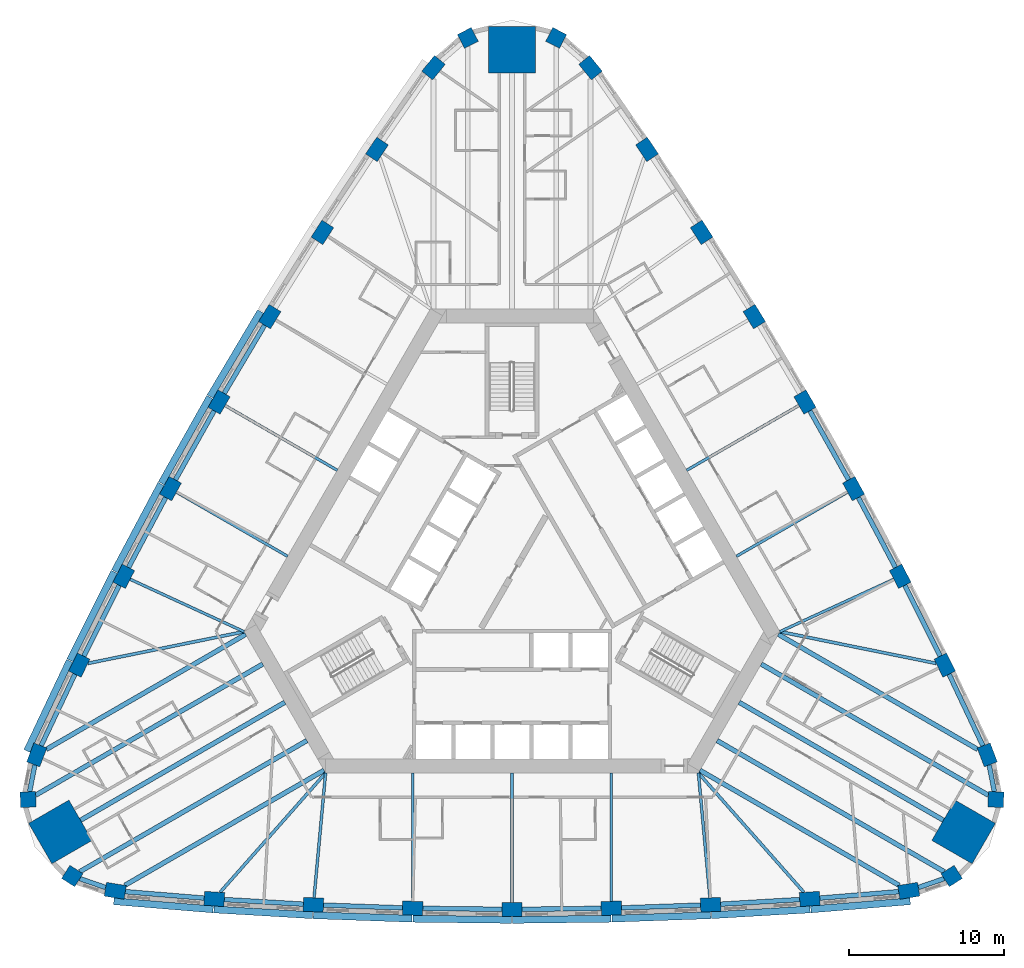
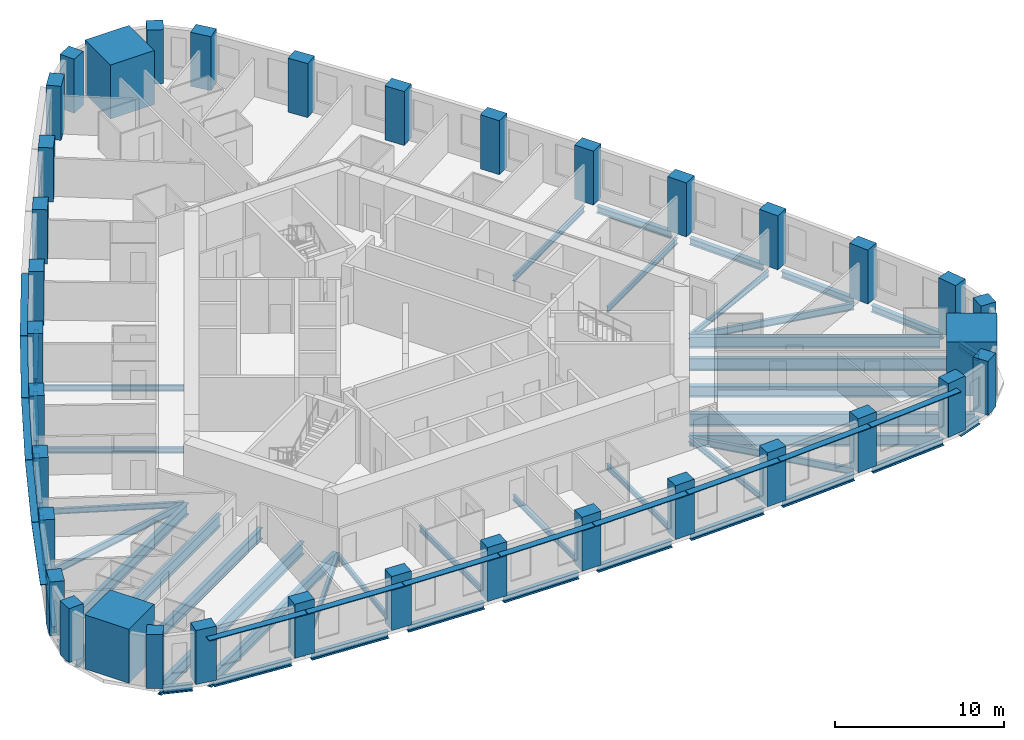
# One storey, part 1 of 12: 46 beams, 36 columns, 13 members.
"""IFC4 building model written with IfcOpenShell, lengths in metres."""

from ifc_helpers import new_model, si_unit, direction, frame, origin, origin_2d, place, context, subcontext, project, spatial, rectangle, i_section, extrude, material, material_profile, profile_set, type_object, element, save


model = new_model("IFC4")

# Units and contexts
model_context = context("Model", 3, precision=1e-05, world=origin(), true_north=direction((0.0, 1.0)))
body_context = subcontext(model_context, "Body", "Model", "MODEL_VIEW")
ifc_project = project(units=[si_unit("LENGTHUNIT", "METRE"), si_unit("AREAUNIT", "SQUARE_METRE"), si_unit("VOLUMEUNIT", "CUBIC_METRE"), si_unit("PLANEANGLEUNIT", "RADIAN"), si_unit("MASSUNIT", "GRAM", prefix="KILO")], contexts=[model_context])

# Site, building, storey
site_placement = place(None, origin())
site = spatial("IfcSite", under=ifc_project, at=site_placement, CompositionType="ELEMENT")
building_placement = place(site_placement, origin())
building = spatial("IfcBuilding", under=site, at=building_placement, Name="Mestral Congress Tower", CompositionType="ELEMENT")
storey_placement = place(building_placement, frame((0.0, 0.0, 111.0)))
storey = spatial("IfcBuildingStorey", under=building, at=storey_placement, Name="L26", CompositionType="ELEMENT", Elevation=111.0)

# Columns
ifc_material_1 = material(Name="Concrete C70/85", Category="concrete")
ifc_material_profile_1 = material_profile(ifc_material_1, rectangle(XDim=1.0, YDim=1.0, at=origin_2d()), Name="RC 1000x1000")
ifc_profile_set_1 = profile_set([ifc_material_profile_1], Name="Concrete C70/85")
column_type_1 = type_object("IfcColumnType", Name="Column RC 1000x1000 C70/85", PredefinedType="COLUMN", material=ifc_profile_set_1)
for number, where, z_axis, x_axis, name in (
    (1, (28.331298828125, -19.642822265625, 0.0), (0.0, 0.0, 1.0), (0.841700252504, 0.53994507585, 0.0), "COL-L26-C2-SE1"),
    (2, (31.1767578125, -14.714111328125, 0.0), (0.0, 0.0, 1.0), (0.046756026083, 0.998906338965, 0.0), "COL-L26-C2-SE3"),
    (3, (2.845703125, 34.35693359375, 0.0), (0.0, 0.0, 1.0), (-0.888456278587, 0.458961263115, 0.0), "COL-L26-C2-N1"),
    (4, (-2.845703125, 34.35693359375, 0.0), (0.0, 0.0, 1.0), (-0.888456278587, -0.458961263115, 0.0), "COL-L26-C2-N3"),
    (5, (-31.1767578125, -14.714111328125, 0.0), (0.0, 0.0, 1.0), (0.046756026083, -0.998906338965, 0.0), "COL-L26-C2-SW1"),
    (6, (-28.331298828125, -19.642822265625, 0.0), (0.0, 0.0, 1.0), (0.841700252504, -0.53994507585, 0.0), "COL-L26-C2-SW3"),
):
    element("IfcColumn", number, at=place(storey_placement, frame(where, z_axis=z_axis, x_axis=x_axis)), inside=storey, type_object=column_type_1, Name=name, PredefinedType="COLUMN", context=body_context, shape_type="SweptSolid", body=[
        extrude(rectangle(XDim=1.0, YDim=1.0, at=origin_2d()), origin(), (0.0, 0.0, 1.0), 3.89990234375),
    ])
ifc_material_profile_2 = material_profile(ifc_material_1, rectangle(XDim=1.300048828125, YDim=0.89990234375, at=origin_2d()), Name="RC 1300x900")
ifc_profile_set_2 = profile_set([ifc_material_profile_2], Name="Concrete C70/85")
column_type_2 = type_object("IfcColumnType", Name="Column RC 1300x900 C70/85", PredefinedType="COLUMN", material=ifc_profile_set_2)
for number, where, z_axis, x_axis, name in (
    (7, (-25.562744140625, -20.59716796875, 0.0), (0.0, 0.0, 1.0), (0.987202314361, -0.159472851987, 0.0), "COL-L26-C2-S00"),
    (8, (-19.184326171875, -21.120361328125, 0.0), (0.0, 0.0, 1.0), (0.997539884588, -0.07010120296, 0.0), "COL-L26-C2-S01"),
    (9, (-12.79541015625, -21.494384765625, 0.0), (0.0, 0.0, 1.0), (0.998906338965, -0.046756026083, 0.0), "COL-L26-C2-S02"),
    (10, (-6.3994140625, -21.71875, 0.0), (0.0, 0.0, 1.0), (0.99972656776, -0.023383535144, 0.0), "COL-L26-C2-S03"),
    (11, (0.0, -21.793701171875, 0.0), (0.0, 0.0, 1.0), (1.0, 0.0, 0.0), "COL-L26-C2-S04"),
    (12, (6.3994140625, -21.71875, 0.0), (0.0, 0.0, 1.0), (0.99972656776, 0.023383535144, 0.0), "COL-L26-C2-S05"),
    (13, (12.79541015625, -21.494384765625, 0.0), (0.0, 0.0, 1.0), (0.998906338965, 0.046756026083, 0.0), "COL-L26-C2-S06"),
    (14, (19.184326171875, -21.120361328125, 0.0), (0.0, 0.0, 1.0), (0.997539884588, 0.07010120296, 0.0), "COL-L26-C2-S07"),
    (15, (25.562744140625, -20.59716796875, 0.0), (0.0, 0.0, 1.0), (0.987202314361, 0.159472851987, 0.0), "COL-L26-C2-S08"),
    (16, (30.618896484375, -11.83935546875, 0.0), (0.0, 0.0, 1.0), (-0.355493616145, 0.934678708905, 0.0), "COL-L26-C2-E00"),
    (17, (27.8828125, -6.0537109375, 0.0), (0.0, 0.0, 1.0), (-0.438060519695, 0.898945482821, 0.0), "COL-L26-C2-E01"),
    (18, (25.01220703125, -0.333984375, 0.0), (0.0, 0.0, 1.0), (-0.458961263115, 0.888456278587, 0.0), "COL-L26-C2-E02"),
    (19, (22.0087890625, 5.3173828125, 0.0), (0.0, 0.0, 1.0), (-0.479612548415, 0.87748037209, 0.0), "COL-L26-C2-E03"),
    (20, (18.873779296875, 10.896728515625, 0.0), (0.0, 0.0, 1.0), (-0.5, 0.866025403784, 0.0), "COL-L26-C2-E04"),
    (21, (15.609375, 16.401611328125, 0.0), (0.0, 0.0, 1.0), (-0.520114019344, 0.854096836946, 0.0), "COL-L26-C2-E05"),
    (22, (12.217041015625, 21.828369140625, 0.0), (0.0, 0.0, 1.0), (-0.53994507585, 0.841700252504, 0.0), "COL-L26-C2-E06"),
    (23, (8.69873046875, 27.17431640625, 0.0), (0.0, 0.0, 1.0), (-0.559479364893, 0.828844279861, 0.0), "COL-L26-C2-E07"),
    (24, (5.056396484375, 32.4365234375, 0.0), (0.0, 0.0, 1.0), (-0.631708698215, 0.775205856918, 0.0), "COL-L26-C2-E08"),
    (25, (-5.056396484375, 32.4365234375, 0.0), (0.0, 0.0, 1.0), (-0.631708698215, -0.775205856918, 0.0), "COL-L26-C2-W00"),
    (26, (-8.69873046875, 27.17431640625, 0.0), (0.0, 0.0, 1.0), (-0.559479364893, -0.828844279861, 0.0), "COL-L26-C2-W01"),
    (27, (-12.217041015625, 21.828369140625, 0.0), (0.0, 0.0, 1.0), (-0.53994507585, -0.841700252504, 0.0), "COL-L26-C2-W02"),
    (28, (-15.609375, 16.401611328125, 0.0), (0.0, 0.0, 1.0), (-0.520114019344, -0.854096836946, 0.0), "COL-L26-C2-W03"),
    (29, (-18.873779296875, 10.896728515625, 0.0), (0.0, 0.0, 1.0), (-0.5, -0.866025403784, 0.0), "COL-L26-C2-W04"),
    (30, (-22.0087890625, 5.3173828125, 0.0), (0.0, 0.0, 1.0), (-0.479612548415, -0.87748037209, 0.0), "COL-L26-C2-W05"),
    (31, (-25.01220703125, -0.333984375, 0.0), (0.0, 0.0, 1.0), (-0.458961263115, -0.888456278587, 0.0), "COL-L26-C2-W06"),
    (32, (-27.8828125, -6.0537109375, 0.0), (0.0, 0.0, 1.0), (-0.438060519695, -0.898945482821, 0.0), "COL-L26-C2-W07"),
    (33, (-30.618896484375, -11.83935546875, 0.0), (0.0, 0.0, 1.0), (-0.355493616145, -0.934678708905, 0.0), "COL-L26-C2-W08"),
):
    element("IfcColumn", number, at=place(storey_placement, frame(where, z_axis=z_axis, x_axis=x_axis)), inside=storey, type_object=column_type_2, Name=name, PredefinedType="COLUMN", context=body_context, shape_type="SweptSolid", body=[
        extrude(rectangle(XDim=1.300048828125, YDim=0.89990234375, at=origin_2d()), origin(), (0.0, 0.0, 1.0), 3.89990234375),
    ])
ifc_material_2 = material(Name="Concrete C80/95", Category="concrete")
ifc_material_profile_3 = material_profile(ifc_material_2, rectangle(XDim=3.0, YDim=3.0, at=origin_2d()), Name="RC 3000x3000")
ifc_profile_set_3 = profile_set([ifc_material_profile_3], Name="Concrete C80/95")
column_type_3 = type_object("IfcColumnType", Name="Mega column RC 3000x3000 C80/95", PredefinedType="COLUMN", material=ifc_profile_set_3)
for number, where, z_axis, x_axis, name in (
    (34, (29.09716796875, -16.79931640625, 0.0), (0.0, 0.0, 1.0), (0.866025403784, -0.5, 0.0), "COL-L26-PY2-SE"),
    (35, (0.0, 33.598388671875, 0.0), (0.0, 0.0, 1.0), (0.0, 1.0, 0.0), "COL-L26-PY2-N"),
    (36, (-29.09716796875, -16.79931640625, 0.0), (0.0, 0.0, 1.0), (-0.866025403784, -0.5, 0.0), "COL-L26-PY2-SW"),
):
    element("IfcColumn", number, at=place(storey_placement, frame(where, z_axis=z_axis, x_axis=x_axis)), inside=storey, type_object=column_type_3, Name=name, PredefinedType="COLUMN", context=body_context, shape_type="SweptSolid", body=[
        extrude(rectangle(XDim=3.0, YDim=3.0, at=origin_2d()), origin(), (0.0, 0.0, 1.0), 3.89990234375),
    ])

# Members
ifc_material_3 = material(Name="Glazed ceramic", Category="masonry")
ifc_material_profile_4 = material_profile(ifc_material_3, rectangle(XDim=0.449951171875, YDim=0.06005859375, at=origin_2d()), Name="Ceramic blade 450 x 60")
ifc_profile_set_4 = profile_set([ifc_material_profile_4], Name="Glazed ceramic")
member_type = type_object("IfcMemberType", Name="Facade sunshade blade 450 x 60", PredefinedType="USERDEFINED", material=ifc_profile_set_4)
member_1_placement = place(storey_placement, frame((-25.654296875, -21.266845703125, 3.280029296875), z_axis=(0.996650616323, -0.081777435656, 0.0), x_axis=(0.081777435656, 0.996650616323, 0.0)))
element("IfcMember", 37, at=member_1_placement, inside=storey, type_object=member_type, Name="Sunshade F0-00", ObjectType="SUNSHADE", PredefinedType="USERDEFINED", context=body_context, shape_type="SweptSolid", body=[
    extrude(rectangle(XDim=0.449951171875, YDim=0.06005859375, at=origin_2d()), origin(), (0.0, 0.0, 1.0), 6.421630859375),
])
for number, where, z_axis, x_axis, name in (
    (38, (-19.208984375, -21.795166015625, 3.280029296875), (0.998292825409, -0.05840748871, 0.0), (0.05840748871, 0.998292825409, 0.0), "Sunshade F0-01"),
    (39, (-12.80419921875, -22.16943359375, 3.280029296875), (0.999384970229, -0.035066811664, 0.0), (0.035066811664, 0.999384970229, 0.0), "Sunshade F0-02"),
    (40, (-6.392578125, -22.393798828125, 3.280029296875), (0.999931231966, -0.011727375608, 0.0), (0.011727375608, 0.999931231966, 0.0), "Sunshade F0-03"),
    (41, (0.022705078125, -22.468505859375, 3.280029296875), (0.999931231966, 0.011727375608, 0.0), (-0.011727375608, 0.999931231966, 0.0), "Sunshade F0-04"),
    (42, (6.437744140625, -22.392822265625, 3.280029296875), (0.999384970229, 0.035066811664, 0.0), (-0.035066811664, 0.999384970229, 0.0), "Sunshade F0-05"),
    (43, (12.849609375, -22.167236328125, 3.280029296875), (0.998292825409, 0.05840748871, 0.0), (-0.05840748871, 0.998292825409, 0.0), "Sunshade F0-06"),
):
    element("IfcMember", number, at=place(storey_placement, frame(where, z_axis=z_axis, x_axis=x_axis)), inside=storey, type_object=member_type, Name=name, ObjectType="SUNSHADE", PredefinedType="USERDEFINED", context=body_context, shape_type="SweptSolid", body=[
        extrude(rectangle(XDim=0.449951171875, YDim=0.06005859375, at=origin_2d()), origin(), (0.0, 0.0, 1.0), 6.370361328125),
    ])
member_2_placement = place(storey_placement, frame((19.254150390625, -21.7919921875, 3.280029296875), z_axis=(0.996650616323, 0.081777435656, 0.0), x_axis=(-0.081777435656, 0.996650616323, 0.0)))
element("IfcMember", 44, at=member_2_placement, inside=storey, type_object=member_type, Name="Sunshade F0-07", ObjectType="SUNSHADE", PredefinedType="USERDEFINED", context=body_context, shape_type="SweptSolid", body=[
    extrude(rectangle(XDim=0.449951171875, YDim=0.06005859375, at=origin_2d()), origin(), (0.0, 0.0, 1.0), 6.421630859375),
])
for number, where, z_axis, x_axis, name in (
    (45, (-16.197509765625, 16.733154296875, 3.280029296875), (-0.510098606231, -0.86011592935, 0.0), (0.86011592935, -0.510098606231, 0.0), "Sunshade F2-03"),
    (46, (-19.469482421875, 11.214599609375, 3.280029296875), (-0.489860886888, -0.871800614531, 0.0), (0.871800614531, -0.489860886888, 0.0), "Sunshade F2-04"),
    (47, (-22.61181640625, 5.62109375, 3.280029296875), (-0.469318672425, -0.883028869128, 0.0), (0.883028869128, -0.469318672425, 0.0), "Sunshade F2-05"),
):
    element("IfcMember", number, at=place(storey_placement, frame(where, z_axis=z_axis, x_axis=x_axis)), inside=storey, type_object=member_type, Name=name, ObjectType="SUNSHADE", PredefinedType="USERDEFINED", context=body_context, shape_type="SweptSolid", body=[
        extrude(rectangle(XDim=0.449951171875, YDim=0.06005859375, at=origin_2d()), origin(), (0.0, 0.0, 1.0), 6.370361328125),
    ])
member_3_placement = place(storey_placement, frame((-25.622314453125, -0.04443359375, 3.280029296875), z_axis=(-0.448531530965, -0.893767008638, 0.0), x_axis=(0.893767008638, -0.448531530965, 0.0)))
element("IfcMember", 48, at=member_3_placement, inside=storey, type_object=member_type, Name="Sunshade F2-06", ObjectType="SUNSHADE", PredefinedType="USERDEFINED", context=body_context, shape_type="SweptSolid", body=[
    extrude(rectangle(XDim=0.449951171875, YDim=0.06005859375, at=origin_2d()), origin(), (0.0, 0.0, 1.0), 6.3701171875),
])
member_4_placement = place(storey_placement, frame((-28.49951171875, -5.778564453125, 3.280029296875), z_axis=(-0.427519164001, -0.904006285604, 0.0), x_axis=(0.904006285604, -0.427519164001, 0.0)))
element("IfcMember", 49, at=member_4_placement, inside=storey, type_object=member_type, Name="Sunshade F2-07", ObjectType="SUNSHADE", PredefinedType="USERDEFINED", context=body_context, shape_type="SweptSolid", body=[
    extrude(rectangle(XDim=0.449951171875, YDim=0.06005859375, at=origin_2d()), origin(), (0.0, 0.0, 1.0), 6.421630859375),
])

# Beams
ifc_material_4 = material(Name="Steel S355", Category="steel")
ifc_material_profile_5 = material_profile(ifc_material_4, i_section(OverallWidth=0.300048828125, OverallDepth=0.800048828125, WebThickness=0.017578125, FlangeThickness=0.032958984375, FilletRadius=0.030029296875, at=origin_2d()), Name="HEB 800")
ifc_profile_set_5 = profile_set([ifc_material_profile_5], Name="Steel S355")
beam_type_1 = type_object("IfcBeamType", Name="Floor beam HEB 800 S355", PredefinedType="BEAM", material=ifc_profile_set_5)
for number, where, z_axis, x_axis, name in (
    (50, (-24.94580078125, -20.240966796875, -0.64990234375), (0.866025146382, 0.500000445834, 0.0), (-0.500000445834, 0.866025146382, 0.0), "BM-L26-RB2-S00"),
    (51, (24.94580078125, -20.240966796875, -0.64990234375), (-0.866025146382, 0.500000445834, 0.0), (-0.500000445834, -0.866025146382, 0.0), "BM-L26-RB2-S08"),
):
    element("IfcBeam", number, at=place(storey_placement, frame(where, z_axis=z_axis, x_axis=x_axis)), inside=storey, type_object=beam_type_1, Name=name, PredefinedType="BEAM", context=body_context, shape_type="SweptSolid", body=[
        extrude(i_section(OverallWidth=0.300048828125, OverallDepth=0.800048828125, WebThickness=0.017578125, FlangeThickness=0.032958984375, FilletRadius=0.030029296875, at=origin_2d()), origin(), (0.0, 0.0, 1.0), 14.82421875),
    ])
beam_1_placement = place(storey_placement, frame((27.798095703125, -16.04931640625, -0.64990234375), z_axis=(-0.866023213189, 0.500003794204, 0.0), x_axis=(-0.500003794204, -0.866023213189, 0.0)))
element("IfcBeam", 52, at=beam_1_placement, inside=storey, type_object=beam_type_1, Name="BM-L26-RB2-SE", PredefinedType="BEAM", context=body_context, shape_type="SweptSolid", body=[
    extrude(i_section(OverallWidth=0.300048828125, OverallDepth=0.800048828125, WebThickness=0.017578125, FlangeThickness=0.032958984375, FilletRadius=0.030029296875, at=origin_2d()), origin(), (0.0, 0.0, 1.0), 15.19873046875),
])
for number, where, z_axis, x_axis, name in (
    (53, (30.002197265625, -11.483154296875, -0.64990234375), (-0.866025146382, 0.500000445834, 0.0), (-0.500000445834, -0.866025146382, 0.0), "BM-L26-RB2-E00"),
    (54, (-30.002197265625, -11.483154296875, -0.64990234375), (0.866025146382, 0.500000445834, 0.0), (-0.500000445834, 0.866025146382, 0.0), "BM-L26-RB2-W08"),
):
    element("IfcBeam", number, at=place(storey_placement, frame(where, z_axis=z_axis, x_axis=x_axis)), inside=storey, type_object=beam_type_1, Name=name, PredefinedType="BEAM", context=body_context, shape_type="SweptSolid", body=[
        extrude(i_section(OverallWidth=0.300048828125, OverallDepth=0.800048828125, WebThickness=0.017578125, FlangeThickness=0.032958984375, FilletRadius=0.030029296875, at=origin_2d()), origin(), (0.0, 0.0, 1.0), 14.82421875),
    ])
beam_2_placement = place(storey_placement, frame((-27.798095703125, -16.04931640625, -0.64990234375), z_axis=(0.866023213189, 0.500003794204, 0.0), x_axis=(-0.500003794204, 0.866023213189, 0.0)))
element("IfcBeam", 55, at=beam_2_placement, inside=storey, type_object=beam_type_1, Name="BM-L26-RB2-SW", PredefinedType="BEAM", context=body_context, shape_type="SweptSolid", body=[
    extrude(i_section(OverallWidth=0.300048828125, OverallDepth=0.800048828125, WebThickness=0.017578125, FlangeThickness=0.032958984375, FilletRadius=0.030029296875, at=origin_2d()), origin(), (0.0, 0.0, 1.0), 15.19873046875),
])
ifc_material_profile_6 = material_profile(ifc_material_4, i_section(OverallWidth=0.300048828125, OverallDepth=0.89990234375, WebThickness=0.0185546875, FlangeThickness=0.034912109375, FilletRadius=0.030029296875, at=origin_2d()), Name="HEB 900")
ifc_profile_set_6 = profile_set([ifc_material_profile_6], Name="Steel S355")
beam_type_2 = type_object("IfcBeamType", Name="Floor beam HEB 900 S355", PredefinedType="BEAM", material=ifc_profile_set_6)
beam_3_placement = place(storey_placement, frame((27.84375, -19.361328125, -0.699951171875), z_axis=(-0.866024587677, 0.500001413537, 0.0), x_axis=(-0.500001413537, -0.866024587677, 0.0)))
element("IfcBeam", 56, at=beam_3_placement, inside=storey, type_object=beam_type_2, Name="BM-L26-RB2-SE1", PredefinedType="BEAM", context=body_context, shape_type="SweptSolid", body=[
    extrude(i_section(OverallWidth=0.300048828125, OverallDepth=0.89990234375, WebThickness=0.0185546875, FlangeThickness=0.034912109375, FilletRadius=0.030029296875, at=origin_2d()), origin(), (0.0, 0.0, 1.0), 16.89404296875),
])
for number, where, z_axis, x_axis, name in (
    (57, (30.689453125, -14.4326171875, -0.699951171875), (-0.866028200461, 0.499995155983, 0.0), (-0.499995155983, -0.866028200461, 0.0), "BM-L26-RB2-SE3"),
    (58, (-30.689453125, -14.4326171875, -0.699951171875), (0.866028200461, 0.499995155983, 0.0), (-0.499995155983, 0.866028200461, 0.0), "BM-L26-RB2-SW1"),
):
    element("IfcBeam", number, at=place(storey_placement, frame(where, z_axis=z_axis, x_axis=x_axis)), inside=storey, type_object=beam_type_2, Name=name, PredefinedType="BEAM", context=body_context, shape_type="SweptSolid", body=[
        extrude(i_section(OverallWidth=0.300048828125, OverallDepth=0.89990234375, WebThickness=0.0185546875, FlangeThickness=0.034912109375, FilletRadius=0.030029296875, at=origin_2d()), origin(), (0.0, 0.0, 1.0), 16.894287109375),
    ])
beam_4_placement = place(storey_placement, frame((-27.84375, -19.361328125, -0.699951171875), z_axis=(0.866024587677, 0.500001413537, 0.0), x_axis=(-0.500001413537, 0.866024587677, 0.0)))
element("IfcBeam", 59, at=beam_4_placement, inside=storey, type_object=beam_type_2, Name="BM-L26-RB2-SW3", PredefinedType="BEAM", context=body_context, shape_type="SweptSolid", body=[
    extrude(i_section(OverallWidth=0.300048828125, OverallDepth=0.89990234375, WebThickness=0.0185546875, FlangeThickness=0.034912109375, FilletRadius=0.030029296875, at=origin_2d()), origin(), (0.0, 0.0, 1.0), 16.89404296875),
])
ifc_material_profile_7 = material_profile(ifc_material_4, i_section(OverallWidth=0.179931640625, OverallDepth=0.39990234375, WebThickness=0.008544921875, FlangeThickness=0.013427734375, FilletRadius=0.02099609375, at=origin_2d()), Name="IPE 400")
ifc_profile_set_7 = profile_set([ifc_material_profile_7], Name="Steel S355")
beam_type_3 = type_object("IfcBeamType", Name="Floor beam IPE 400 S355", PredefinedType="BEAM", material=ifc_profile_set_7)
beam_5_placement = place(storey_placement, frame((-12.753662109375, -21.0458984375, -0.449951171875), z_axis=(0.092183786594, 0.995742009503, 0.0), x_axis=(-0.995742009503, 0.092183786594, 0.0)))
element("IfcBeam", 60, at=beam_5_placement, inside=storey, type_object=beam_type_3, Name="BM-L26-RB2-S02", PredefinedType="BEAM", context=body_context, shape_type="SweptSolid", body=[
    extrude(i_section(OverallWidth=0.179931640625, OverallDepth=0.39990234375, WebThickness=0.008544921875, FlangeThickness=0.013427734375, FilletRadius=0.02099609375, at=origin_2d()), origin(), (0.0, 0.0, 1.0), 8.080322265625),
])
beam_6_placement = place(storey_placement, frame((-6.3994140625, -21.268798828125, -0.449951171875), z_axis=(0.0, 1.0, 0.0), x_axis=(-1.0, 0.0, 0.0)))
element("IfcBeam", 61, at=beam_6_placement, inside=storey, type_object=beam_type_3, Name="BM-L26-RB2-S03", PredefinedType="BEAM", context=body_context, shape_type="SweptSolid", body=[
    extrude(i_section(OverallWidth=0.179931640625, OverallDepth=0.39990234375, WebThickness=0.008544921875, FlangeThickness=0.013427734375, FilletRadius=0.02099609375, at=origin_2d()), origin(), (0.0, 0.0, 1.0), 8.268798828125),
])
beam_7_placement = place(storey_placement, frame((0.0, -21.343505859375, -0.449951171875), z_axis=(0.0, 1.0, 0.0), x_axis=(-1.0, 0.0, 0.0)))
element("IfcBeam", 62, at=beam_7_placement, inside=storey, type_object=beam_type_3, Name="BM-L26-RB2-S04", PredefinedType="BEAM", context=body_context, shape_type="SweptSolid", body=[
    extrude(i_section(OverallWidth=0.179931640625, OverallDepth=0.39990234375, WebThickness=0.008544921875, FlangeThickness=0.013427734375, FilletRadius=0.02099609375, at=origin_2d()), origin(), (0.0, 0.0, 1.0), 8.343505859375),
])
beam_8_placement = place(storey_placement, frame((6.3994140625, -21.268798828125, -0.449951171875), z_axis=(0.0, 1.0, 0.0), x_axis=(-1.0, 0.0, 0.0)))
element("IfcBeam", 63, at=beam_8_placement, inside=storey, type_object=beam_type_3, Name="BM-L26-RB2-S05", PredefinedType="BEAM", context=body_context, shape_type="SweptSolid", body=[
    extrude(i_section(OverallWidth=0.179931640625, OverallDepth=0.39990234375, WebThickness=0.008544921875, FlangeThickness=0.013427734375, FilletRadius=0.02099609375, at=origin_2d()), origin(), (0.0, 0.0, 1.0), 8.268798828125),
])
beam_9_placement = place(storey_placement, frame((12.753662109375, -21.0458984375, -0.449951171875), z_axis=(-0.092183786594, 0.995742009503, 0.0), x_axis=(-0.995742009503, -0.092183786594, 0.0)))
element("IfcBeam", 64, at=beam_9_placement, inside=storey, type_object=beam_type_3, Name="BM-L26-RB2-S06", PredefinedType="BEAM", context=body_context, shape_type="SweptSolid", body=[
    extrude(i_section(OverallWidth=0.179931640625, OverallDepth=0.39990234375, WebThickness=0.008544921875, FlangeThickness=0.013427734375, FilletRadius=0.02099609375, at=origin_2d()), origin(), (0.0, 0.0, 1.0), 8.080322265625),
])
beam_10_placement = place(storey_placement, frame((24.60302734375, -0.522216796875, -0.449951171875), z_axis=(-0.908437217841, -0.418021316731, 0.0), x_axis=(0.418021316731, -0.908437217841, 0.0)))
element("IfcBeam", 65, at=beam_10_placement, inside=storey, type_object=beam_type_3, Name="BM-L26-RB2-E02", PredefinedType="BEAM", context=body_context, shape_type="SweptSolid", body=[
    extrude(i_section(OverallWidth=0.179931640625, OverallDepth=0.39990234375, WebThickness=0.008544921875, FlangeThickness=0.013427734375, FilletRadius=0.02099609375, at=origin_2d()), origin(), (0.0, 0.0, 1.0), 8.080078125),
])
beam_11_placement = place(storey_placement, frame((21.618896484375, 5.09228515625, -0.449951171875), z_axis=(-0.866028737439, -0.499994225897, 0.0), x_axis=(0.499994225897, -0.866028737439, 0.0)))
element("IfcBeam", 66, at=beam_11_placement, inside=storey, type_object=beam_type_3, Name="BM-L26-RB2-E03", PredefinedType="BEAM", context=body_context, shape_type="SweptSolid", body=[
    extrude(i_section(OverallWidth=0.179931640625, OverallDepth=0.39990234375, WebThickness=0.008544921875, FlangeThickness=0.013427734375, FilletRadius=0.02099609375, at=origin_2d()), origin(), (0.0, 0.0, 1.0), 8.2685546875),
])
for number, where, z_axis, x_axis, name in (
    (67, (18.484130859375, 10.671875, -0.449951171875), (-0.86602332482, -0.500003600855, 0.0), (0.500003600855, -0.86602332482, 0.0), "BM-L26-RB2-E04"),
    (68, (-18.484130859375, 10.671875, -0.449951171875), (0.86602332482, -0.500003600855, 0.0), (0.500003600855, 0.86602332482, 0.0), "BM-L26-RB2-W04"),
):
    element("IfcBeam", number, at=place(storey_placement, frame(where, z_axis=z_axis, x_axis=x_axis)), inside=storey, type_object=beam_type_3, Name=name, PredefinedType="BEAM", context=body_context, shape_type="SweptSolid", body=[
        extrude(i_section(OverallWidth=0.179931640625, OverallDepth=0.39990234375, WebThickness=0.008544921875, FlangeThickness=0.013427734375, FilletRadius=0.02099609375, at=origin_2d()), origin(), (0.0, 0.0, 1.0), 8.34375),
    ])
beam_12_placement = place(storey_placement, frame((-21.618896484375, 5.09228515625, -0.449951171875), z_axis=(0.866028737439, -0.499994225897, 0.0), x_axis=(0.499994225897, 0.866028737439, 0.0)))
element("IfcBeam", 69, at=beam_12_placement, inside=storey, type_object=beam_type_3, Name="BM-L26-RB2-W05", PredefinedType="BEAM", context=body_context, shape_type="SweptSolid", body=[
    extrude(i_section(OverallWidth=0.179931640625, OverallDepth=0.39990234375, WebThickness=0.008544921875, FlangeThickness=0.013427734375, FilletRadius=0.02099609375, at=origin_2d()), origin(), (0.0, 0.0, 1.0), 8.2685546875),
])
beam_13_placement = place(storey_placement, frame((-24.60302734375, -0.522216796875, -0.449951171875), z_axis=(0.908437217841, -0.418021316731, 0.0), x_axis=(0.418021316731, 0.908437217841, 0.0)))
element("IfcBeam", 70, at=beam_13_placement, inside=storey, type_object=beam_type_3, Name="BM-L26-RB2-W06", PredefinedType="BEAM", context=body_context, shape_type="SweptSolid", body=[
    extrude(i_section(OverallWidth=0.179931640625, OverallDepth=0.39990234375, WebThickness=0.008544921875, FlangeThickness=0.013427734375, FilletRadius=0.02099609375, at=origin_2d()), origin(), (0.0, 0.0, 1.0), 8.080078125),
])
ifc_material_profile_8 = material_profile(ifc_material_4, i_section(OverallWidth=0.199951171875, OverallDepth=0.5, WebThickness=0.01025390625, FlangeThickness=0.01611328125, FilletRadius=0.02099609375, at=origin_2d()), Name="IPE 500")
ifc_profile_set_8 = profile_set([ifc_material_profile_8], Name="Steel S355")
beam_type_4 = type_object("IfcBeamType", Name="Floor beam IPE 500 S355", PredefinedType="BEAM", material=ifc_profile_set_8)
for number, where, z_axis, x_axis, name in (
    (71, (-18.80908203125, -20.695556640625, -0.5), (0.662174203587, 0.749349934346, 0.0), (-0.749349934346, 0.662174203587, 0.0), "BM-L26-RB2-S01"),
    (72, (18.80908203125, -20.695556640625, -0.5), (-0.662174203587, 0.749349934346, 0.0), (-0.749349934346, -0.662174203587, 0.0), "BM-L26-RB2-S07"),
    (73, (27.327392578125, -5.941162109375, -0.5), (-0.980046767137, 0.198767035052, 0.0), (-0.198767035052, -0.980046767137, 0.0), "BM-L26-RB2-E01"),
    (74, (-27.327392578125, -5.941162109375, -0.5), (0.980046767137, 0.198767035052, 0.0), (-0.198767035052, 0.980046767137, 0.0), "BM-L26-RB2-W07"),
):
    element("IfcBeam", number, at=place(storey_placement, frame(where, z_axis=z_axis, x_axis=x_axis)), inside=storey, type_object=beam_type_4, Name=name, PredefinedType="BEAM", context=body_context, shape_type="SweptSolid", body=[
        extrude(i_section(OverallWidth=0.199951171875, OverallDepth=0.5, WebThickness=0.01025390625, FlangeThickness=0.01611328125, FilletRadius=0.02099609375, at=origin_2d()), origin(), (0.0, 0.0, 1.0), 10.26953125),
    ])
ifc_material_profile_9 = material_profile(ifc_material_4, i_section(OverallWidth=0.300048828125, OverallDepth=0.489990234375, WebThickness=0.011962890625, FlangeThickness=0.02294921875, FilletRadius=0.027099609375, at=origin_2d()), Name="HEA 500")
ifc_profile_set_9 = profile_set([ifc_material_profile_9], Name="Steel S355")
beam_type_5 = type_object("IfcBeamType", Name="Spandrel beam HEA 500 S355", PredefinedType="BEAM", material=ifc_profile_set_9)
beam_14_placement = place(storey_placement, frame((-24.912841796875, -20.650390625, -0.4951171875), z_axis=(0.996652597162, -0.081753290887, 0.0), x_axis=(0.081753290887, 0.996652597162, 0.0)))
element("IfcBeam", 75, at=beam_14_placement, inside=storey, type_object=beam_type_5, Name="SP-L26-SB2-S00", PredefinedType="BEAM", context=body_context, shape_type="SweptSolid", body=[
    extrude(i_section(OverallWidth=0.300048828125, OverallDepth=0.489990234375, WebThickness=0.011962890625, FlangeThickness=0.02294921875, FilletRadius=0.027099609375, at=origin_2d()), origin(), (0.0, 0.0, 1.0), 5.09765625),
])
for number, where, z_axis, x_axis, name in (
    (76, (-18.535400390625, -21.158447265625, -0.4951171875), (0.998292976718, -0.058404902489, 0.0), (0.058404902489, 0.998292976718, 0.0), "SP-L26-SB2-S01"),
    (77, (-12.145751953125, -21.51708984375, -0.4951171875), (0.999384139945, -0.035090466305, 0.0), (0.035090466305, 0.999384139945, 0.0), "SP-L26-SB2-S02"),
    (78, (-5.74951171875, -21.726318359375, -0.4951171875), (0.999931780034, -0.011680551241, 0.0), (0.011680551241, 0.999931780034, 0.0), "SP-L26-SB2-S03"),
    (79, (0.64990234375, -21.785888671875, -0.4951171875), (0.999931780034, 0.011680551241, 0.0), (-0.011680551241, 0.999931780034, 0.0), "SP-L26-SB2-S04"),
    (80, (7.049072265625, -21.696044921875, -0.4951171875), (0.999384139945, 0.035090466305, 0.0), (-0.035090466305, 0.999384139945, 0.0), "SP-L26-SB2-S05"),
    (81, (13.4443359375, -21.456298828125, -0.4951171875), (0.998292976718, 0.058404902489, 0.0), (-0.058404902489, 0.998292976718, 0.0), "SP-L26-SB2-S06"),
):
    element("IfcBeam", number, at=place(storey_placement, frame(where, z_axis=z_axis, x_axis=x_axis)), inside=storey, type_object=beam_type_5, Name=name, PredefinedType="BEAM", context=body_context, shape_type="SweptSolid", body=[
        extrude(i_section(OverallWidth=0.300048828125, OverallDepth=0.489990234375, WebThickness=0.011962890625, FlangeThickness=0.02294921875, FilletRadius=0.027099609375, at=origin_2d()), origin(), (0.0, 0.0, 1.0), 5.099853515625),
    ])
beam_15_placement = place(storey_placement, frame((19.832275390625, -21.067138671875, -0.4951171875), z_axis=(0.996652597162, 0.081753290887, 0.0), x_axis=(-0.081753290887, 0.996652597162, 0.0)))
element("IfcBeam", 82, at=beam_15_placement, inside=storey, type_object=beam_type_5, Name="SP-L26-SB2-S07", PredefinedType="BEAM", context=body_context, shape_type="SweptSolid", body=[
    extrude(i_section(OverallWidth=0.300048828125, OverallDepth=0.489990234375, WebThickness=0.011962890625, FlangeThickness=0.02294921875, FilletRadius=0.027099609375, at=origin_2d()), origin(), (0.0, 0.0, 1.0), 5.09765625),
])
for number, where, z_axis, x_axis, name in (
    (83, (26.186279296875, -20.382080078125, -0.4951171875), (0.945433605893, 0.325814819873, 0.0), (-0.325814819873, 0.945433605893, 0.0), "SP-L26-SB2-S08"),
    (84, (31.078857421875, -14.208984375, -0.4951171875), (-0.190545536928, 0.981678357894, 0.0), (-0.981678357894, -0.190545536928, 0.0), "SP-L26-SB2-SE3"),
):
    element("IfcBeam", number, at=place(storey_placement, frame(where, z_axis=z_axis, x_axis=x_axis)), inside=storey, type_object=beam_type_5, Name=name, PredefinedType="BEAM", context=body_context, shape_type="SweptSolid", body=[
        extrude(i_section(OverallWidth=0.300048828125, OverallDepth=0.489990234375, WebThickness=0.011962890625, FlangeThickness=0.02294921875, FilletRadius=0.027099609375, at=origin_2d()), origin(), (0.0, 0.0, 1.0), 1.754150390625),
    ])
beam_16_placement = place(storey_placement, frame((30.34033203125, -11.25, -0.4951171875), z_axis=(-0.427509849729, 0.904010690415, 0.0), x_axis=(-0.904010690415, -0.427509849729, 0.0)))
element("IfcBeam", 85, at=beam_16_placement, inside=storey, type_object=beam_type_5, Name="SP-L26-SB2-E00", PredefinedType="BEAM", context=body_context, shape_type="SweptSolid", body=[
    extrude(i_section(OverallWidth=0.300048828125, OverallDepth=0.489990234375, WebThickness=0.011962890625, FlangeThickness=0.02294921875, FilletRadius=0.027099609375, at=origin_2d()), origin(), (0.0, 0.0, 1.0), 5.097900390625),
])
for number, where, z_axis, x_axis, name in (
    (86, (27.59130859375, -5.472900390625, -0.4951171875), (-0.448515247182, 0.89377518037, 0.0), (-0.89377518037, -0.448515247182, 0.0), "SP-L26-SB2-E01"),
    (87, (24.707275390625, 0.239990234375, -0.4951171875), (-0.469288226496, 0.883045050081, 0.0), (-0.883045050081, -0.469288226496, 0.0), "SP-L26-SB2-E02"),
    (88, (21.6904296875, 5.884033203125, -0.4951171875), (-0.489836148985, 0.871814514187, 0.0), (-0.871814514187, -0.489836148985, 0.0), "SP-L26-SB2-E03"),
    (89, (-15.94091796875, 15.84228515625, -0.4951171875), (-0.510081870963, -0.860125854114, 0.0), (0.860125854114, -0.510081870963, 0.0), "SP-L26-SB2-W03"),
    (90, (-19.1923828125, 10.330078125, -0.4951171875), (-0.489836148985, -0.871814514187, 0.0), (0.871814514187, -0.489836148985, 0.0), "SP-L26-SB2-W04"),
    (91, (-22.31396484375, 4.743408203125, -0.4951171875), (-0.469288226496, -0.883045050081, 0.0), (0.883045050081, -0.469288226496, 0.0), "SP-L26-SB2-W05"),
    (92, (-25.303955078125, -0.914794921875, -0.4951171875), (-0.448515247182, -0.89377518037, 0.0), (0.89377518037, -0.448515247182, 0.0), "SP-L26-SB2-W06"),
):
    element("IfcBeam", number, at=place(storey_placement, frame(where, z_axis=z_axis, x_axis=x_axis)), inside=storey, type_object=beam_type_5, Name=name, PredefinedType="BEAM", context=body_context, shape_type="SweptSolid", body=[
        extrude(i_section(OverallWidth=0.300048828125, OverallDepth=0.489990234375, WebThickness=0.011962890625, FlangeThickness=0.02294921875, FilletRadius=0.027099609375, at=origin_2d()), origin(), (0.0, 0.0, 1.0), 5.099853515625),
    ])
beam_17_placement = place(storey_placement, frame((-28.160888671875, -6.641357421875, -0.4951171875), z_axis=(-0.427509849729, -0.904010690415, 0.0), x_axis=(0.904010690415, -0.427509849729, 0.0)))
element("IfcBeam", 93, at=beam_17_placement, inside=storey, type_object=beam_type_5, Name="SP-L26-SB2-W07", PredefinedType="BEAM", context=body_context, shape_type="SweptSolid", body=[
    extrude(i_section(OverallWidth=0.300048828125, OverallDepth=0.489990234375, WebThickness=0.011962890625, FlangeThickness=0.02294921875, FilletRadius=0.027099609375, at=origin_2d()), origin(), (0.0, 0.0, 1.0), 5.097900390625),
])
for number, where, z_axis, x_axis, name in (
    (94, (-30.74462890625, -12.487060546875, -0.4951171875), (-0.190545536928, -0.981678357894, 0.0), (0.981678357894, -0.190545536928, 0.0), "SP-L26-SB2-W08"),
    (95, (-27.8447265625, -19.810546875, -0.4951171875), (0.945433605893, -0.325814819873, 0.0), (0.325814819873, 0.945433605893, 0.0), "SP-L26-SB2-SW3"),
):
    element("IfcBeam", number, at=place(storey_placement, frame(where, z_axis=z_axis, x_axis=x_axis)), inside=storey, type_object=beam_type_5, Name=name, PredefinedType="BEAM", context=body_context, shape_type="SweptSolid", body=[
        extrude(i_section(OverallWidth=0.300048828125, OverallDepth=0.489990234375, WebThickness=0.011962890625, FlangeThickness=0.02294921875, FilletRadius=0.027099609375, at=origin_2d()), origin(), (0.0, 0.0, 1.0), 1.754150390625),
    ])

save(model, "model.ifc")
